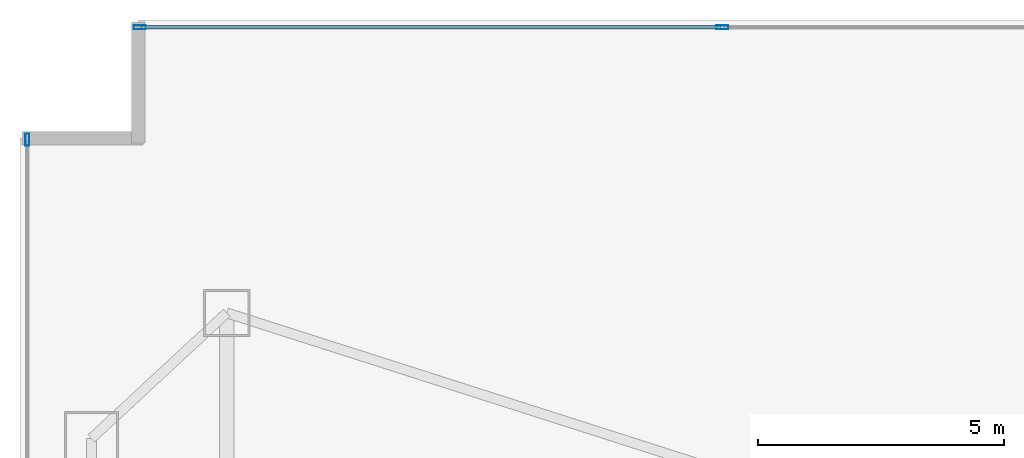
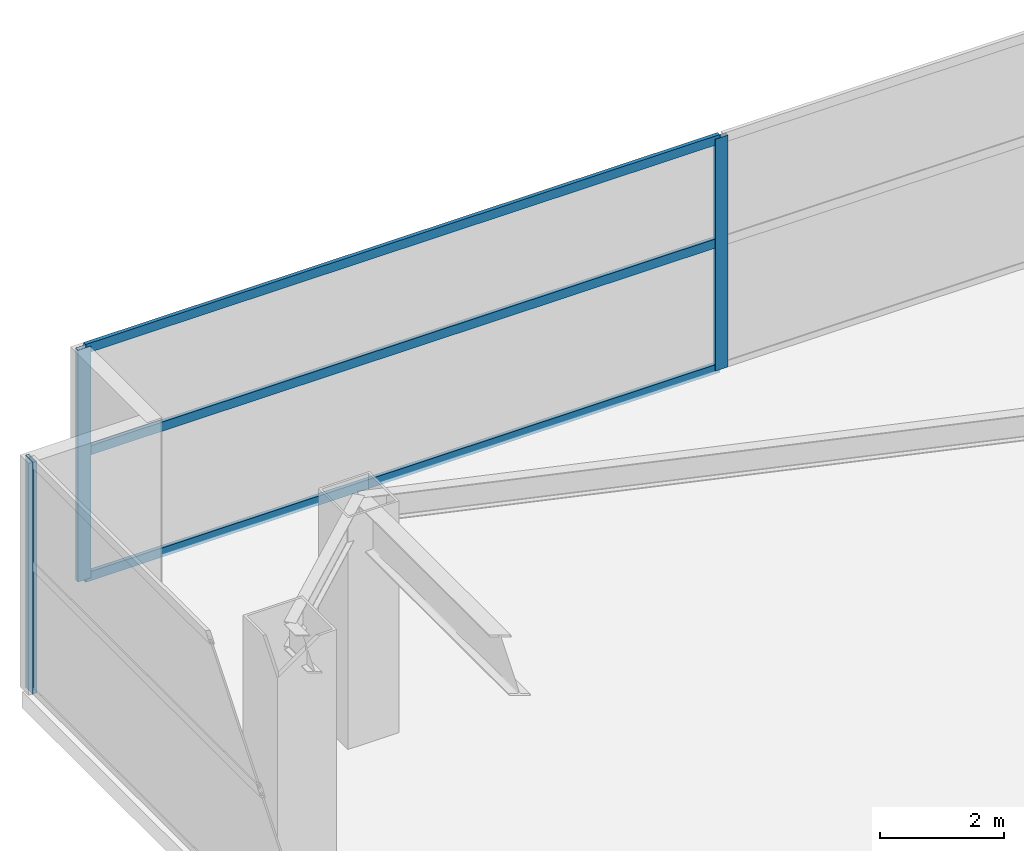
# One storey, part 16 of 30: 6 members, 2 elements without a shape of their own.
"""IFC4 building model written with IfcOpenShell, lengths in metres."""

from ifc_helpers import new_model, si_unit, direction, frame, origin, origin_2d, place, context, subcontext, project, spatial, hollow_rectangle, extrude, material, layer, layer_set, material_profile, profile_set, type_object, element, aggregate, save


model = new_model("IFC4")

# Units and contexts
model_context = context("Model", 3, precision=1e-05, world=origin(), true_north=direction((0.0, 1.0)))
body_context = subcontext(model_context, "Body", "Model", "MODEL_VIEW")
ifc_project = project(units=[si_unit("LENGTHUNIT", "METRE"), si_unit("AREAUNIT", "SQUARE_METRE"), si_unit("VOLUMEUNIT", "CUBIC_METRE"), si_unit("PLANEANGLEUNIT", "RADIAN"), si_unit("MASSUNIT", "GRAM", prefix="KILO")], contexts=[model_context])

# Site, building, storey
site_placement = place(None, origin())
site = spatial("IfcSite", under=ifc_project, at=site_placement, CompositionType="ELEMENT")
building_placement = place(site_placement, origin())
building = spatial("IfcBuilding", under=site, at=building_placement, Name="Calvorn Quay Hotel", CompositionType="ELEMENT")
storey_placement = place(building_placement, frame((0.0, 0.0, 17.0)))
storey = spatial("IfcBuildingStorey", under=building, at=storey_placement, Name="L03", CompositionType="ELEMENT", Elevation=17.0)

# Curtain wall, member
ifc_material_1 = material(Name="Pale Anodised Aluminium and Low-E Glass", Category="aluminium")
ifc_layer = layer(ifc_material_1, 0.219970703125)
ifc_layer_set = layer_set([ifc_layer], Name="CW-SYS-POD")
curtain_wall_type = type_object("IfcCurtainWallType", Name="CW-SYS-POD", PredefinedType="NOTDEFINED", material=ifc_layer_set)
curtain_wall_1_placement = place(storey_placement, origin())
curtain_wall_1 = element("IfcCurtainWall", 1, at=curtain_wall_1_placement, inside=storey, type_object=curtain_wall_type, Name="Podium Curtain Wall L03-W1", PredefinedType="NOTDEFINED")
ifc_material_2 = material(Name="Pale Anodised Aluminium 6063-T6", Category="aluminium")
ifc_material_profile_1 = material_profile(ifc_material_2, hollow_rectangle(XDim=0.080078125, YDim=0.239990234375, WallThickness=0.0048828125, at=origin_2d()), Name="ALU-M240x80x5")
ifc_profile_set_1 = profile_set([ifc_material_profile_1], Name="Pale Anodised Aluminium 6063-T6")
member_type_1 = type_object("IfcMemberType", Name="CW-SYS-POD-MUL", PredefinedType="MULLION", material=ifc_profile_set_1)
member_1_placement = place(storey_placement, frame((0.14990234375, 53.070068359375, 0.0), z_axis=(0.0, 0.0, 1.0), x_axis=(-1.0, 0.0, 0.0)))
member_1 = element("IfcMember", 2, at=member_1_placement, type_object=member_type_1, Name="CW-L03-W1 mullion 6", PredefinedType="MULLION", context=body_context, shape_type="SweptSolid", body=[
    extrude(hollow_rectangle(XDim=0.080078125, YDim=0.239990234375, WallThickness=0.0048828125, at=origin_2d()), origin(), (0.0, 0.0, 1.0), 4.550048828125),
])
aggregate(curtain_wall_1, [member_1])

# Curtain wall, members
curtain_wall_2_placement = place(storey_placement, origin())
curtain_wall_2 = element("IfcCurtainWall", 3, at=curtain_wall_2_placement, inside=storey, type_object=curtain_wall_type, Name="Podium Curtain Wall L03-N1", PredefinedType="NOTDEFINED")
member_2_placement = place(storey_placement, frame((2.429931640625, 55.35009765625, 0.0), z_axis=(0.0, 0.0, 1.0), x_axis=(0.0, 1.0, 0.0)))
member_2 = element("IfcMember", 4, at=member_2_placement, type_object=member_type_1, Name="CW-L03-N1 mullion 1", PredefinedType="MULLION", context=body_context, shape_type="SweptSolid", body=[
    extrude(hollow_rectangle(XDim=0.080078125, YDim=0.239990234375, WallThickness=0.0048828125, at=origin_2d()), origin(), (0.0, 0.0, 1.0), 4.550048828125),
])
member_3_placement = place(storey_placement, frame((14.2666015625, 55.35009765625, 0.0), z_axis=(0.0, 0.0, 1.0), x_axis=(0.0, 1.0, 0.0)))
member_3 = element("IfcMember", 5, at=member_3_placement, type_object=member_type_1, Name="CW-L03-N1 mullion 2", PredefinedType="MULLION", context=body_context, shape_type="SweptSolid", body=[
    extrude(hollow_rectangle(XDim=0.080078125, YDim=0.239990234375, WallThickness=0.0048828125, at=origin_2d()), origin(), (0.0, 0.0, 1.0), 4.550048828125),
])
ifc_material_3 = material(Name="Pale Anodised Aluminium 6063-T6", Category="aluminium")
ifc_material_profile_2 = material_profile(ifc_material_3, hollow_rectangle(XDim=0.070068359375, YDim=0.179931640625, WallThickness=0.00390625, at=origin_2d()), Name="ALU-T180x70x4")
ifc_profile_set_2 = profile_set([ifc_material_profile_2], Name="Pale Anodised Aluminium 6063-T6")
member_type_2 = type_object("IfcMemberType", Name="CW-SYS-POD-TRN", PredefinedType="USERDEFINED", material=ifc_profile_set_2)
member_4_placement = place(storey_placement, frame((2.4599609375, 55.35009765625, 0.030029296875), z_axis=(1.0, 0.0, 0.0), x_axis=(0.0, 1.0, 0.0)))
member_4 = element("IfcMember", 6, at=member_4_placement, type_object=member_type_2, Name="CW-L03-N1 transom 1.1", ObjectType="TRANSOM", PredefinedType="USERDEFINED", context=body_context, shape_type="SweptSolid", body=[
    extrude(hollow_rectangle(XDim=0.070068359375, YDim=0.179931640625, WallThickness=0.00390625, at=origin_2d()), origin(), (0.0, 0.0, 1.0), 11.776611328125),
])
member_5_placement = place(storey_placement, frame((2.4599609375, 55.35009765625, 2.5), z_axis=(1.0, 0.0, 0.0), x_axis=(0.0, 1.0, 0.0)))
member_5 = element("IfcMember", 7, at=member_5_placement, type_object=member_type_2, Name="CW-L03-N1 transom 1.2", ObjectType="TRANSOM", PredefinedType="USERDEFINED", context=body_context, shape_type="SweptSolid", body=[
    extrude(hollow_rectangle(XDim=0.070068359375, YDim=0.179931640625, WallThickness=0.00390625, at=origin_2d()), origin(), (0.0, 0.0, 1.0), 11.776611328125),
])
member_6_placement = place(storey_placement, frame((2.4599609375, 55.35009765625, 4.52001953125), z_axis=(1.0, 0.0, 0.0), x_axis=(0.0, 1.0, 0.0)))
member_6 = element("IfcMember", 8, at=member_6_placement, type_object=member_type_2, Name="CW-L03-N1 transom 1.3", ObjectType="TRANSOM", PredefinedType="USERDEFINED", context=body_context, shape_type="SweptSolid", body=[
    extrude(hollow_rectangle(XDim=0.070068359375, YDim=0.179931640625, WallThickness=0.00390625, at=origin_2d()), origin(), (0.0, 0.0, 1.0), 11.776611328125),
])
aggregate(curtain_wall_2, [member_2, member_3, member_4, member_5, member_6])

save(model, "model.ifc")
